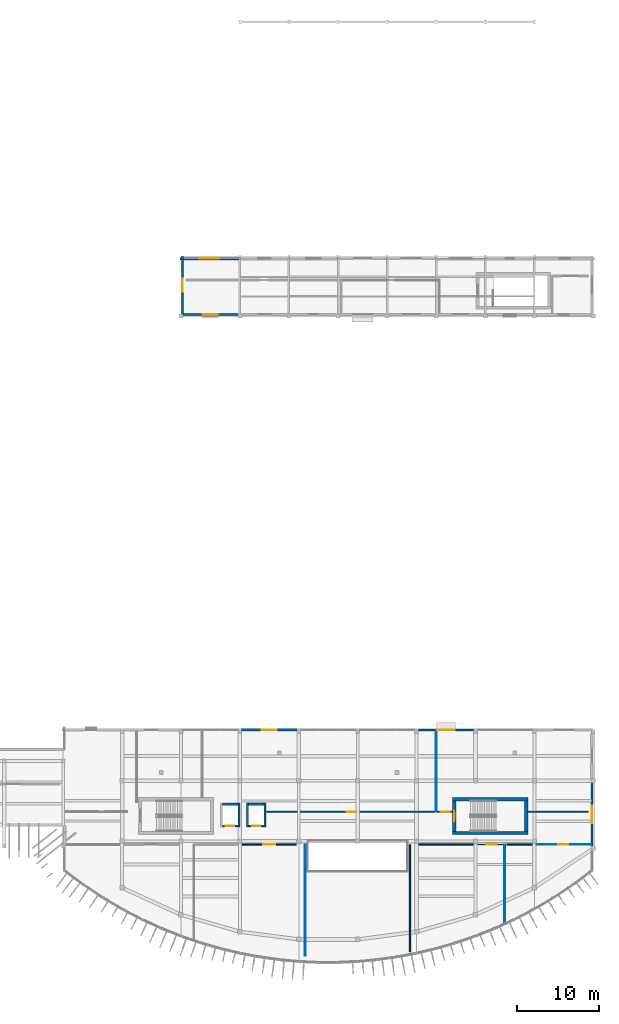
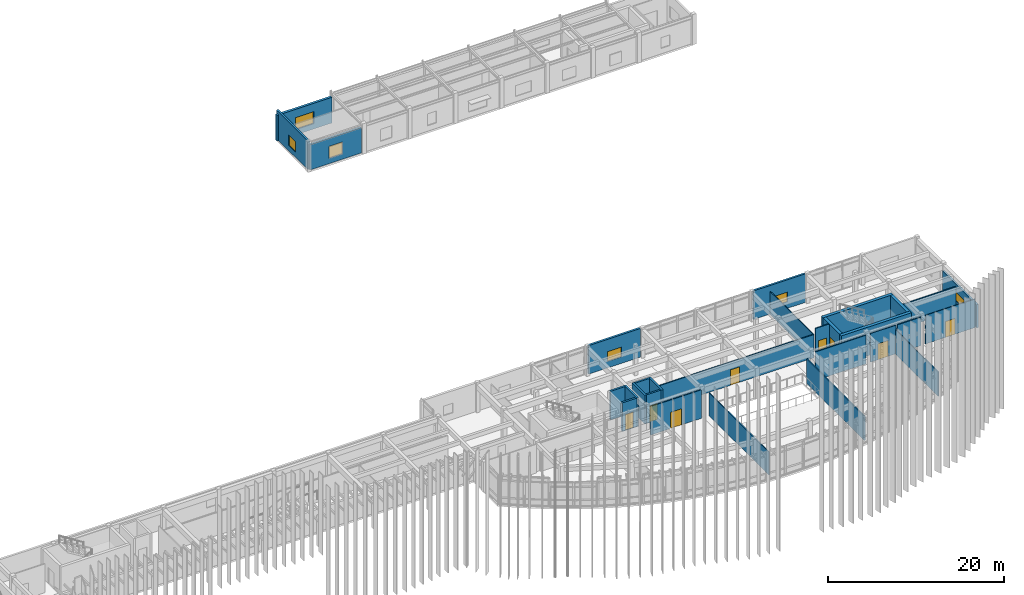
# One storey, part 32 of 47: 29 walls, 8 doors, 6 windows, 14 openings.
"""IFC4 building model written with IfcOpenShell, lengths in metres."""

from ifc_helpers import new_model, si_unit, direction, frame, frame_2d, origin, place, context, subcontext, project, spatial, rectangle, extrude, material, layer, layer_set, type_object, element, fill, save


model = new_model("IFC4")

# Units and contexts
model_context = context("Model", 3, precision=1e-05, world=origin(), true_north=direction((0.0, 1.0)))
body_context = subcontext(model_context, "Body", "Model", "MODEL_VIEW")
ifc_project = project(units=[si_unit("LENGTHUNIT", "METRE"), si_unit("AREAUNIT", "SQUARE_METRE"), si_unit("VOLUMEUNIT", "CUBIC_METRE"), si_unit("PLANEANGLEUNIT", "RADIAN"), si_unit("MASSUNIT", "GRAM", prefix="KILO")], contexts=[model_context])

# Site, building, storey
site_placement = place(None, origin())
site = spatial("IfcSite", under=ifc_project, at=site_placement, CompositionType="ELEMENT")
building_placement = place(site_placement, origin())
building = spatial("IfcBuilding", under=site, at=building_placement, Name="Brisavento Harbour Community Centre", CompositionType="ELEMENT")
storey_placement = place(building_placement, frame((0.0, 0.0, 8.699951171875)))
storey = spatial("IfcBuildingStorey", under=building, at=storey_placement, Name="L02", CompositionType="ELEMENT", Elevation=8.699951171875)

# Walls
ifc_material_1 = material(Name="Concrete C40/50", Category="concrete")
ifc_layer_1 = layer(ifc_material_1, 0.39990234375, Name="Concrete C40/50")
ifc_layer_set_1 = layer_set([ifc_layer_1], Name="Concrete C40/50")
wall_type_1 = type_object("IfcWallType", Name="WL-CORE-400", PredefinedType="SHEAR", material=ifc_layer_set_1)
for number, where, z_axis, x_axis, name in (
    (1, (155.60009765625, 16.0, 0.0), (0.0, 0.0, 1.0), (1.0, 0.0, 0.0), "L02 core C3B shear wall L"),
    (2, (164.800048828125, 20.14990234375, 0.0), (0.0, 0.0, 1.0), (-1.0, 0.0, 0.0), "L02 core C3B shear wall R"),
):
    element("IfcWall", number, at=place(storey_placement, frame(where, z_axis=z_axis, x_axis=x_axis)), inside=storey, type_object=wall_type_1, Name=name, PredefinedType="SHEAR", context=body_context, shape_type="SweptSolid", body=[
        extrude(rectangle(XDim=9.199951171875, YDim=0.39990234375, at=frame_2d((4.60009765625, 0.0))), origin(), (0.0, 0.0, 1.0), 3.9599609375),
    ])
wall_1_placement = place(storey_placement, frame((164.60009765625, 16.199951171875, 0.0), z_axis=(0.0, 0.0, 1.0), x_axis=(0.0, 1.0, 0.0)))
element("IfcWall", 3, at=wall_1_placement, inside=storey, type_object=wall_type_1, Name="L02 core C3B shear wall F", PredefinedType="SHEAR", context=body_context, shape_type="SweptSolid", body=[
    extrude(rectangle(XDim=3.75, YDim=0.39990234375, at=frame_2d((1.875, 0.0))), origin(), (0.0, 0.0, 1.0), 3.9599609375),
])

# Wall, opening, door
wall_2_placement = place(storey_placement, frame((155.800048828125, 19.949951171875, 0.0), z_axis=(0.0, 0.0, 1.0), x_axis=(0.0, -1.0, 0.0)))
wall_2 = element("IfcWall", 4, at=wall_2_placement, inside=storey, type_object=wall_type_1, Name="L02 core C3B shear wall N", PredefinedType="SHEAR", context=body_context, shape_type="SweptSolid", body=[
    extrude(rectangle(XDim=3.75, YDim=0.39990234375, at=frame_2d((1.875, 0.0))), origin(), (0.0, 0.0, 1.0), 3.9599609375),
])
opening_1_placement = place(wall_2_placement, frame((1.199951171875, 0.0, 0.0)))
opening_1 = element("IfcOpeningElement", 5, at=opening_1_placement, cuts=wall_2, Name="Opening SD-02", PredefinedType="OPENING", context=body_context, shape_type="SweptSolid", body=[
    extrude(rectangle(XDim=1.35009765625, YDim=2.199951171875, at=frame_2d((0.675048828125, 1.10009765625))), frame((0.0, 0.2099609375, 0.0), z_axis=(0.0, -1.0, 0.0), x_axis=(1.0, 0.0, 0.0)), (0.0, 0.0, 1.0), 0.419921875),
])
ifc_material_2 = material(Name="Fire-rated steel door assembly", Category="steel")
door_type_1 = type_object("IfcDoorType", Name="DR-STAIR-135x220", OperationType="NOTDEFINED", PredefinedType="DOOR", material=ifc_material_2)
door_1_placement = place(opening_1_placement, origin())
door_1 = element("IfcDoor", 6, at=door_1_placement, inside=storey, type_object=door_type_1, Name="L02 exit stair ST-05 fire door", OperationType="SINGLE_SWING_LEFT", OverallHeight=2.199951171875, OverallWidth=1.35009765625, PredefinedType="DOOR", context=body_context, shape_type="SweptSolid", body=[
    extrude(rectangle(XDim=1.35009765625, YDim=2.199951171875, at=frame_2d((0.675048828125, 1.10009765625))), frame((0.0, 0.02490234375, 0.0), z_axis=(0.0, -1.0, 0.0), x_axis=(1.0, 0.0, 0.0)), (0.0, 0.0, 1.0), 0.050048828125),
])
fill(opening_1, door_1)

# Wall, opening, window
ifc_material_3 = material(Name="Terracotta masonry unit", Category="masonry")
ifc_layer_2 = layer(ifc_material_3, 0.239990234375, Name="Terracotta masonry unit")
ifc_layer_set_2 = layer_set([ifc_layer_2], Name="Terracotta masonry unit")
wall_type_2 = type_object("IfcWallType", Name="WL-EXT-240", PredefinedType="SOLIDWALL", material=ifc_layer_set_2)
wall_3_placement = place(storey_placement, frame((172.6201171875, 22.1650390625, 0.0), z_axis=(0.0, 0.0, 1.0), x_axis=(0.0, -1.0, 0.0)))
wall_3 = element("IfcWall", 7, at=wall_3_placement, inside=storey, type_object=wall_type_2, Name="L02 V3 exterior wall 0238", PredefinedType="SOLIDWALL", context=body_context, shape_type="SweptSolid", body=[
    extrude(rectangle(XDim=7.777099609375, YDim=0.239990234375, at=frame_2d((3.888671875, 0.0))), origin(), (0.0, 0.0, 1.0), 3.2099609375),
])
opening_2_placement = place(wall_3_placement, frame((2.83837890625, 0.0, 0.89990234375)))
opening_2 = element("IfcOpeningElement", 8, at=opening_2_placement, cuts=wall_3, Name="Opening W-08", PredefinedType="OPENING", context=body_context, shape_type="SweptSolid", body=[
    extrude(rectangle(XDim=2.10009765625, YDim=1.199951171875, at=frame_2d((1.050048828125, 0.60009765625))), frame((0.0, 0.1298828125, 0.0), z_axis=(0.0, -1.0, 0.0), x_axis=(1.0, 0.0, 0.0)), (0.0, 0.0, 1.0), 0.260009765625),
])
ifc_material_4 = material(Name="Solar-control laminated low-E glass", Category="glass")
window_type_1 = type_object("IfcWindowType", Name="WIN-CAS-08", PartitioningType="SINGLE_PANEL", PredefinedType="WINDOW", material=ifc_material_4)
window_1_placement = place(opening_2_placement, origin())
window_1 = element("IfcWindow", 9, at=window_1_placement, inside=storey, type_object=window_type_1, Name="L02 V3 impact casement window 0116", OverallHeight=1.199951171875, OverallWidth=2.10009765625, PartitioningType="SINGLE_PANEL", PredefinedType="WINDOW", context=body_context, shape_type="SweptSolid", body=[
    extrude(rectangle(XDim=2.10009765625, YDim=1.199951171875, at=frame_2d((1.050048828125, 0.60009765625))), frame((0.0, 0.030029296875, 0.0), z_axis=(0.0, -1.0, 0.0), x_axis=(1.0, 0.0, 0.0)), (0.0, 0.0, 1.0), 0.06005859375),
])
fill(opening_2, window_1)

ifc_layer_3 = layer(ifc_material_3, 0.260009765625, Name="Terracotta masonry unit")
ifc_layer_set_3 = layer_set([ifc_layer_3], Name="Terracotta masonry unit")
wall_type_3 = type_object("IfcWallType", Name="WL-EXT-260", PredefinedType="SOLIDWALL", material=ifc_layer_set_3)
wall_4_placement = place(storey_placement, frame((151.409912109375, 28.6201171875, 0.0), z_axis=(0.0, 0.0, 1.0), x_axis=(1.0, 0.0, 0.0)))
wall_4 = element("IfcWall", 10, at=wall_4_placement, inside=storey, type_object=wall_type_3, Name="L02 V3 exterior wall 0242", PredefinedType="SOLIDWALL", context=body_context, shape_type="SweptSolid", body=[
    extrude(rectangle(XDim=6.780029296875, YDim=0.260009765625, at=frame_2d((3.39013671875, 0.0))), origin(), (0.0, 0.0, 1.0), 3.9599609375),
])
opening_3_placement = place(wall_4_placement, frame((2.340087890625, 0.0, 0.89990234375)))
opening_3 = element("IfcOpeningElement", 11, at=opening_3_placement, cuts=wall_4, Name="Opening W-12", PredefinedType="OPENING", context=body_context, shape_type="SweptSolid", body=[
    extrude(rectangle(XDim=2.10009765625, YDim=1.35009765625, at=frame_2d((1.050048828125, 0.675048828125))), frame((0.0, 0.14013671875, 0.0), z_axis=(0.0, -1.0, 0.0), x_axis=(1.0, 0.0, 0.0)), (0.0, 0.0, 1.0), 0.280029296875),
])
window_type_2 = type_object("IfcWindowType", Name="WIN-CAS-12", PartitioningType="SINGLE_PANEL", PredefinedType="WINDOW", material=ifc_material_4)
window_2_placement = place(opening_3_placement, origin())
window_2 = element("IfcWindow", 12, at=window_2_placement, inside=storey, type_object=window_type_2, Name="L02 V3 impact casement window 0120", OverallHeight=1.35009765625, OverallWidth=2.10009765625, PartitioningType="SINGLE_PANEL", PredefinedType="WINDOW", context=body_context, shape_type="SweptSolid", body=[
    extrude(rectangle(XDim=2.10009765625, YDim=1.35009765625, at=frame_2d((1.050048828125, 0.675048828125))), frame((0.0, 0.030029296875, 0.0), z_axis=(0.0, -1.0, 0.0), x_axis=(1.0, 0.0, 0.0)), (0.0, 0.0, 1.0), 0.06005859375),
])
fill(opening_3, window_2)

wall_5_placement = place(storey_placement, frame((129.364990234375, 79.3798828125, 0.0), z_axis=(0.0, 0.0, 1.0), x_axis=(-1.0, 0.0, 0.0)))
wall_5 = element("IfcWall", 13, at=wall_5_placement, inside=storey, type_object=wall_type_3, Name="L02 V4 exterior wall 0252", PredefinedType="SOLIDWALL", context=body_context, shape_type="SweptSolid", body=[
    extrude(rectangle(XDim=6.72998046875, YDim=0.260009765625, at=frame_2d((3.364990234375, 0.0))), origin(), (0.0, 0.0, 1.0), 3.510009765625),
])
opening_4_placement = place(wall_5_placement, frame((2.465087890625, 0.0, 0.75)))
opening_4 = element("IfcOpeningElement", 14, at=opening_4_placement, cuts=wall_5, Name="Opening W-21", PredefinedType="OPENING", context=body_context, shape_type="SweptSolid", body=[
    extrude(rectangle(XDim=1.800048828125, YDim=1.64990234375, at=frame_2d((0.89990234375, 0.824951171875))), frame((0.0, 0.14013671875, 0.0), z_axis=(0.0, -1.0, 0.0), x_axis=(1.0, 0.0, 0.0)), (0.0, 0.0, 1.0), 0.280029296875),
])
window_type_3 = type_object("IfcWindowType", Name="WIN-CAS-21", PartitioningType="SINGLE_PANEL", PredefinedType="WINDOW", material=ifc_material_4)
window_3_placement = place(opening_4_placement, origin())
window_3 = element("IfcWindow", 15, at=window_3_placement, inside=storey, type_object=window_type_3, Name="L02 V4 impact casement window 0129", OverallHeight=1.64990234375, OverallWidth=1.800048828125, PartitioningType="SINGLE_PANEL", PredefinedType="WINDOW", context=body_context, shape_type="SweptSolid", body=[
    extrude(rectangle(XDim=1.800048828125, YDim=1.64990234375, at=frame_2d((0.89990234375, 0.824951171875))), frame((0.0, 0.030029296875, 0.0), z_axis=(0.0, -1.0, 0.0), x_axis=(1.0, 0.0, 0.0)), (0.0, 0.0, 1.0), 0.06005859375),
])
fill(opening_4, window_3)

wall_6_placement = place(storey_placement, frame((122.580078125, 79.43505859375, 0.0), z_axis=(0.0, 0.0, 1.0), x_axis=(0.0, 1.0, 0.0)))
wall_6 = element("IfcWall", 16, at=wall_6_placement, inside=storey, type_object=wall_type_3, Name="L02 V4 exterior wall 0262", PredefinedType="SOLIDWALL", context=body_context, shape_type="SweptSolid", body=[
    extrude(rectangle(XDim=7.114990234375, YDim=0.260009765625, at=frame_2d((3.5576171875, 0.0))), origin(), (0.0, 0.0, 1.0), 3.9599609375),
])
opening_5_placement = place(wall_6_placement, frame((2.757568359375, 0.0, 0.75)))
opening_5 = element("IfcOpeningElement", 17, at=opening_5_placement, cuts=wall_6, Name="Opening W-31", PredefinedType="OPENING", context=body_context, shape_type="SweptSolid", body=[
    extrude(rectangle(XDim=1.60009765625, YDim=1.449951171875, at=frame_2d((0.800048828125, 0.72509765625))), frame((0.0, 0.14013671875, 0.0), z_axis=(0.0, -1.0, 0.0), x_axis=(1.0, 0.0, 0.0)), (0.0, 0.0, 1.0), 0.280029296875),
])
window_type_4 = type_object("IfcWindowType", Name="WIN-CAS-31", PartitioningType="SINGLE_PANEL", PredefinedType="WINDOW", material=ifc_material_4)
window_4_placement = place(opening_5_placement, origin())
window_4 = element("IfcWindow", 18, at=window_4_placement, inside=storey, type_object=window_type_4, Name="L02 V4 impact casement window 0139", OverallHeight=1.449951171875, OverallWidth=1.60009765625, PartitioningType="SINGLE_PANEL", PredefinedType="WINDOW", context=body_context, shape_type="SweptSolid", body=[
    extrude(rectangle(XDim=1.60009765625, YDim=1.449951171875, at=frame_2d((0.800048828125, 0.72509765625))), frame((0.0, 0.030029296875, 0.0), z_axis=(0.0, -1.0, 0.0), x_axis=(1.0, 0.0, 0.0)), (0.0, 0.0, 1.0), 0.06005859375),
])
fill(opening_5, window_4)

ifc_material_5 = material(Name="Precast concrete C40/50", Category="concrete")
ifc_layer_4 = layer(ifc_material_5, 0.280029296875, Name="Precast concrete C40/50")
ifc_layer_set_4 = layer_set([ifc_layer_4], Name="Precast concrete C40/50")
wall_type_4 = type_object("IfcWallType", Name="WL-EXT-280", PredefinedType="SOLIDWALL", material=ifc_layer_set_4)
wall_7_placement = place(storey_placement, frame((129.81005859375, 28.6201171875, 0.0), z_axis=(0.0, 0.0, 1.0), x_axis=(1.0, 0.0, 0.0)))
wall_7 = element("IfcWall", 19, at=wall_7_placement, inside=storey, type_object=wall_type_4, Name="L02 V3 exterior wall 0241", PredefinedType="SOLIDWALL", context=body_context, shape_type="SweptSolid", body=[
    extrude(rectangle(XDim=6.780029296875, YDim=0.280029296875, at=frame_2d((3.39013671875, 0.0))), origin(), (0.0, 0.0, 1.0), 3.9599609375),
])
opening_6_placement = place(wall_7_placement, frame((2.489990234375, 0.0, 0.89990234375)))
opening_6 = element("IfcOpeningElement", 20, at=opening_6_placement, cuts=wall_7, Name="Opening W-11", PredefinedType="OPENING", context=body_context, shape_type="SweptSolid", body=[
    extrude(rectangle(XDim=1.800048828125, YDim=1.35009765625, at=frame_2d((0.89990234375, 0.675048828125))), frame((0.0, 0.14990234375, 0.0), z_axis=(0.0, -1.0, 0.0), x_axis=(1.0, 0.0, 0.0)), (0.0, 0.0, 1.0), 0.300048828125),
])
window_type_5 = type_object("IfcWindowType", Name="WIN-CAS-11", PartitioningType="SINGLE_PANEL", PredefinedType="WINDOW", material=ifc_material_4)
window_5_placement = place(opening_6_placement, origin())
window_5 = element("IfcWindow", 21, at=window_5_placement, inside=storey, type_object=window_type_5, Name="L02 V3 impact casement window 0119", OverallHeight=1.35009765625, OverallWidth=1.800048828125, PartitioningType="SINGLE_PANEL", PredefinedType="WINDOW", context=body_context, shape_type="SweptSolid", body=[
    extrude(rectangle(XDim=1.800048828125, YDim=1.35009765625, at=frame_2d((0.89990234375, 0.675048828125))), frame((0.0, 0.030029296875, 0.0), z_axis=(0.0, -1.0, 0.0), x_axis=(1.0, 0.0, 0.0)), (0.0, 0.0, 1.0), 0.06005859375),
])
fill(opening_6, window_5)

ifc_material_6 = material(Name="Concrete C35/45", Category="concrete")
ifc_layer_5 = layer(ifc_material_6, 0.320068359375, Name="Concrete C35/45")
ifc_layer_set_5 = layer_set([ifc_layer_5], Name="Concrete C35/45")
wall_type_5 = type_object("IfcWallType", Name="WL-EXT-320", PredefinedType="SOLIDWALL", material=ifc_layer_set_5)
wall_8_placement = place(storey_placement, frame((122.25, 86.219970703125, 0.0), z_axis=(0.0, 0.0, 1.0), x_axis=(1.0, 0.0, 0.0)))
wall_8 = element("IfcWall", 22, at=wall_8_placement, inside=storey, type_object=wall_type_5, Name="L02 V4 exterior wall 0254", PredefinedType="SOLIDWALL", context=body_context, shape_type="SweptSolid", body=[
    extrude(rectangle(XDim=7.215087890625, YDim=0.320068359375, at=frame_2d((3.607421875, 0.0))), origin(), (0.0, 0.0, 1.0), 3.56005859375),
])
opening_7_placement = place(wall_8_placement, frame((2.407470703125, 0.0, 0.75)))
opening_7 = element("IfcOpeningElement", 23, at=opening_7_placement, cuts=wall_8, Name="Opening W-23", PredefinedType="OPENING", context=body_context, shape_type="SweptSolid", body=[
    extrude(rectangle(XDim=2.39990234375, YDim=1.64990234375, at=frame_2d((1.199951171875, 0.824951171875))), frame((0.0, 0.169921875, 0.0), z_axis=(0.0, -1.0, 0.0), x_axis=(1.0, 0.0, 0.0)), (0.0, 0.0, 1.0), 0.340087890625),
])
window_type_6 = type_object("IfcWindowType", Name="WIN-CAS-23", PartitioningType="SINGLE_PANEL", PredefinedType="WINDOW", material=ifc_material_4)
window_6_placement = place(opening_7_placement, origin())
window_6 = element("IfcWindow", 24, at=window_6_placement, inside=storey, type_object=window_type_6, Name="L02 V4 impact casement window 0131", OverallHeight=1.64990234375, OverallWidth=2.39990234375, PartitioningType="SINGLE_PANEL", PredefinedType="WINDOW", context=body_context, shape_type="SweptSolid", body=[
    extrude(rectangle(XDim=2.39990234375, YDim=1.64990234375, at=frame_2d((1.199951171875, 0.824951171875))), frame((0.0, 0.030029296875, 0.0), z_axis=(0.0, -1.0, 0.0), x_axis=(1.0, 0.0, 0.0)), (0.0, 0.0, 1.0), 0.06005859375),
])
fill(opening_7, window_6)

# Wall, opening, door
ifc_material_7 = material(Name="Lightweight stud partition", Category="other")
ifc_layer_6 = layer(ifc_material_7, 0.10009765625, Name="Lightweight stud partition")
ifc_layer_set_6 = layer_set([ifc_layer_6], Name="Lightweight stud partition")
wall_type_6 = type_object("IfcWallType", Name="WL-PRT-100", PredefinedType="PARTITIONING", material=ifc_layer_set_6)
wall_9_placement = place(storey_placement, frame((162.0, 14.60009765625, 0.0), z_axis=(0.0, 0.0, 1.0), x_axis=(-1.0, 0.0, 0.0)))
wall_9 = element("IfcWall", 25, at=wall_9_placement, inside=storey, type_object=wall_type_6, Name="L02 Music Rehearsal Studio partition 0219", PredefinedType="PARTITIONING", context=body_context, shape_type="SweptSolid", body=[
    extrude(rectangle(XDim=3.31005859375, YDim=0.10009765625, at=frame_2d((1.655029296875, 0.0))), origin(), (0.0, 0.0, 1.0), 3.9599609375),
])
opening_8_placement = place(wall_9_placement, frame((1.0048828125, 0.0, 0.0)))
opening_8 = element("IfcOpeningElement", 26, at=opening_8_placement, cuts=wall_9, Name="Opening ID-05", PredefinedType="OPENING", context=body_context, shape_type="SweptSolid", body=[
    extrude(rectangle(XDim=1.300048828125, YDim=2.199951171875, at=frame_2d((0.64990234375, 1.10009765625))), frame((0.0, 0.06005859375, 0.0), z_axis=(0.0, -1.0, 0.0), x_axis=(1.0, 0.0, 0.0)), (0.0, 0.0, 1.0), 0.1201171875),
])
ifc_material_8 = material(Name="Solid-core tropical timber door", Category="wood")
door_type_2 = type_object("IfcDoorType", Name="DR-INT-130x220", OperationType="NOTDEFINED", PredefinedType="DOOR", material=ifc_material_8)
door_2_placement = place(opening_8_placement, origin())
door_2 = element("IfcDoor", 27, at=door_2_placement, inside=storey, type_object=door_type_2, Name="L02 Music Rehearsal Studio door 0082", OperationType="SINGLE_SWING_LEFT", OverallHeight=2.199951171875, OverallWidth=1.300048828125, PredefinedType="DOOR", context=body_context, shape_type="SweptSolid", body=[
    extrude(rectangle(XDim=1.300048828125, YDim=2.199951171875, at=frame_2d((0.64990234375, 1.10009765625))), frame((0.0, 0.02490234375, 0.0), z_axis=(0.0, -1.0, 0.0), x_axis=(1.0, 0.0, 0.0)), (0.0, 0.0, 1.0), 0.050048828125),
])
fill(opening_8, door_2)

wall_10_placement = place(storey_placement, frame((172.39990234375, 14.60009765625, 0.0), z_axis=(0.0, 0.0, 1.0), x_axis=(-1.0, 0.0, 0.0)))
wall_10 = element("IfcWall", 28, at=wall_10_placement, inside=storey, type_object=wall_type_6, Name="L02 Dance Rehearsal Studio partition 0223", PredefinedType="PARTITIONING", context=body_context, shape_type="SweptSolid", body=[
    extrude(rectangle(XDim=6.510009765625, YDim=0.10009765625, at=frame_2d((3.2548828125, 0.0))), origin(), (0.0, 0.0, 1.0), 3.9599609375),
])
opening_9_placement = place(wall_10_placement, frame((2.6298828125, 0.0, 0.0)))
opening_9 = element("IfcOpeningElement", 29, at=opening_9_placement, cuts=wall_10, Name="Opening ID-06", PredefinedType="OPENING", context=body_context, shape_type="SweptSolid", body=[
    extrude(rectangle(XDim=1.25, YDim=2.199951171875, at=frame_2d((0.625, 1.10009765625))), frame((0.0, 0.06005859375, 0.0), z_axis=(0.0, -1.0, 0.0), x_axis=(1.0, 0.0, 0.0)), (0.0, 0.0, 1.0), 0.1201171875),
])
door_type_3 = type_object("IfcDoorType", Name="DR-INT-125x220", OperationType="NOTDEFINED", PredefinedType="DOOR", material=ifc_material_8)
door_3_placement = place(opening_9_placement, origin())
door_3 = element("IfcDoor", 30, at=door_3_placement, inside=storey, type_object=door_type_3, Name="L02 Dance Rehearsal Studio door 0083", OperationType="SINGLE_SWING_RIGHT", OverallHeight=2.199951171875, OverallWidth=1.25, PredefinedType="DOOR", context=body_context, shape_type="SweptSolid", body=[
    extrude(rectangle(XDim=1.25, YDim=2.199951171875, at=frame_2d((0.625, 1.10009765625))), frame((0.0, 0.02490234375, 0.0), z_axis=(0.0, -1.0, 0.0), x_axis=(1.0, 0.0, 0.0)), (0.0, 0.0, 1.0), 0.050048828125),
])
fill(opening_9, door_3)

# Walls
wall_11_placement = place(storey_placement, frame((153.60009765625, 18.60009765625, 0.0), z_axis=(0.0, 0.0, 1.0), x_axis=(0.0, 1.0, 0.0)))
element("IfcWall", 31, at=wall_11_placement, inside=storey, type_object=wall_type_6, Name="L02 Adult Classroom 203 partition 0227", PredefinedType="PARTITIONING", context=body_context, shape_type="SweptSolid", body=[
    extrude(rectangle(XDim=9.7998046875, YDim=0.10009765625, at=frame_2d((4.89990234375, 0.0))), origin(), (0.0, 0.0, 1.0), 3.16015625),
])
ifc_material_9 = material(Name="Gypsum metal-stud partition", Category="other")
ifc_layer_7 = layer(ifc_material_9, 0.1201171875, Name="Gypsum metal-stud partition")
ifc_layer_set_7 = layer_set([ifc_layer_7], Name="Gypsum metal-stud partition")
wall_type_7 = type_object("IfcWallType", Name="WL-PRT-120", PredefinedType="PARTITIONING", material=ifc_layer_set_7)
wall_12_placement = place(storey_placement, frame((137.60009765625, 1.0, 0.0), z_axis=(0.0, 0.0, 1.0), x_axis=(0.0, 1.0, 0.0)))
element("IfcWall", 32, at=wall_12_placement, inside=storey, type_object=wall_type_7, Name="L02 Youth Studio 202 partition 0218", PredefinedType="PARTITIONING", context=body_context, shape_type="SweptSolid", body=[
    extrude(rectangle(XDim=13.60009765625, YDim=0.1201171875, at=frame_2d((6.800048828125, 0.0))), origin(), (0.0, 0.0, 1.0), 3.16015625),
])
wall_13_placement = place(storey_placement, frame((162.0, 4.87060546875, 0.0), z_axis=(0.0, 0.0, 1.0), x_axis=(0.0, 1.0, 0.0)))
element("IfcWall", 33, at=wall_13_placement, inside=storey, type_object=wall_type_7, Name="L02 Music Rehearsal Studio partition 0222", PredefinedType="PARTITIONING", context=body_context, shape_type="SweptSolid", body=[
    extrude(rectangle(XDim=9.7294921875, YDim=0.1201171875, at=frame_2d((4.86474609375, 0.0))), origin(), (0.0, 0.0, 1.0), 3.360107421875),
])
ifc_layer_8 = layer(ifc_material_9, 0.139892578125, Name="Gypsum metal-stud partition")
ifc_layer_set_8 = layer_set([ifc_layer_8], Name="Gypsum metal-stud partition")
wall_type_8 = type_object("IfcWallType", Name="WL-PRT-140", PredefinedType="PARTITIONING", material=ifc_layer_set_8)
wall_14_placement = place(storey_placement, frame((150.39990234375, 14.60009765625, 0.0), z_axis=(0.0, 0.0, 1.0), x_axis=(0.0, -1.0, 0.0)))
element("IfcWall", 34, at=wall_14_placement, inside=storey, type_object=wall_type_8, Name="L02 Music Rehearsal Studio partition 0221", PredefinedType="PARTITIONING", context=body_context, shape_type="SweptSolid", body=[
    extrude(rectangle(XDim=13.10009765625, YDim=0.139892578125, at=frame_2d((6.550048828125, 0.0))), origin(), (0.0, 0.0, 1.0), 3.360107421875),
])

# Wall, opening, door
wall_15_placement = place(storey_placement, frame((132.909912109375, 18.60009765625, 0.0), z_axis=(0.0, 0.0, 1.0), x_axis=(1.0, 0.0, 0.0)))
wall_15 = element("IfcWall", 35, at=wall_15_placement, inside=storey, type_object=wall_type_8, Name="L02 Adult Classroom 203 partition 0225", PredefinedType="PARTITIONING", context=body_context, shape_type="SweptSolid", body=[
    extrude(rectangle(XDim=20.690185546875, YDim=0.139892578125, at=frame_2d((10.34521484375, 0.0))), origin(), (0.0, 0.0, 1.0), 3.2099609375),
])
opening_10_placement = place(wall_15_placement, frame((9.77001953125, 0.0, 0.0)))
opening_10 = element("IfcOpeningElement", 36, at=opening_10_placement, cuts=wall_15, Name="Opening ID-07", PredefinedType="OPENING", context=body_context, shape_type="SweptSolid", body=[
    extrude(rectangle(XDim=1.14990234375, YDim=2.14990234375, at=frame_2d((0.574951171875, 1.074951171875))), frame((0.0, 0.080078125, 0.0), z_axis=(0.0, -1.0, 0.0), x_axis=(1.0, 0.0, 0.0)), (0.0, 0.0, 1.0), 0.159912109375),
])
door_type_4 = type_object("IfcDoorType", Name="DR-INT-115x215", OperationType="NOTDEFINED", PredefinedType="DOOR", material=ifc_material_8)
door_4_placement = place(opening_10_placement, origin())
door_4 = element("IfcDoor", 37, at=door_4_placement, inside=storey, type_object=door_type_4, Name="L02 Adult Classroom 203 door 0084", OperationType="SINGLE_SWING_LEFT", OverallHeight=2.14990234375, OverallWidth=1.14990234375, PredefinedType="DOOR", context=body_context, shape_type="SweptSolid", body=[
    extrude(rectangle(XDim=1.14990234375, YDim=2.14990234375, at=frame_2d((0.574951171875, 1.074951171875))), frame((0.0, 0.02490234375, 0.0), z_axis=(0.0, -1.0, 0.0), x_axis=(1.0, 0.0, 0.0)), (0.0, 0.0, 1.0), 0.050048828125),
])
fill(opening_10, door_4)

# Wall
wall_16_placement = place(storey_placement, frame((164.81005859375, 18.60009765625, 0.0), z_axis=(0.0, 0.0, 1.0), x_axis=(1.0, 0.0, 0.0)))
element("IfcWall", 38, at=wall_16_placement, inside=storey, type_object=wall_type_8, Name="L02 Youth Robotics and Maker Workshop partition 0229", PredefinedType="PARTITIONING", context=body_context, shape_type="SweptSolid", body=[
    extrude(rectangle(XDim=7.35986328125, YDim=0.139892578125, at=frame_2d((3.679931640625, 0.0))), origin(), (0.0, 0.0, 1.0), 3.31005859375),
])

# Wall, opening, door
ifc_material_10 = material(Name="Moisture-resistant stud partition", Category="other")
ifc_layer_9 = layer(ifc_material_10, 0.14990234375, Name="Moisture-resistant stud partition")
ifc_layer_set_9 = layer_set([ifc_layer_9], Name="Moisture-resistant stud partition")
wall_type_9 = type_object("IfcWallType", Name="WL-PRT-150", PredefinedType="PARTITIONING", material=ifc_layer_set_9)
wall_17_placement = place(storey_placement, frame((136.510009765625, 14.60009765625, 0.0), z_axis=(0.0, 0.0, 1.0), x_axis=(-1.0, 0.0, 0.0)))
wall_17 = element("IfcWall", 39, at=wall_17_placement, inside=storey, type_object=wall_type_9, Name="L02 Youth Studio 202 partition 0216", PredefinedType="PARTITIONING", context=body_context, shape_type="SweptSolid", body=[
    extrude(rectangle(XDim=6.6201171875, YDim=0.14990234375, at=frame_2d((3.31005859375, 0.0))), origin(), (0.0, 0.0, 1.0), 3.9599609375),
])
opening_11_placement = place(wall_17_placement, frame((2.5849609375, 0.0, 0.0)))
opening_11 = element("IfcOpeningElement", 40, at=opening_11_placement, cuts=wall_17, Name="Opening ID-04", PredefinedType="OPENING", context=body_context, shape_type="SweptSolid", body=[
    extrude(rectangle(XDim=1.449951171875, YDim=2.25, at=frame_2d((0.72509765625, 1.125))), frame((0.0, 0.0849609375, 0.0), z_axis=(0.0, -1.0, 0.0), x_axis=(1.0, 0.0, 0.0)), (0.0, 0.0, 1.0), 0.169921875),
])
door_type_5 = type_object("IfcDoorType", Name="DR-INT-145x225", OperationType="NOTDEFINED", PredefinedType="DOOR", material=ifc_material_8)
door_5_placement = place(opening_11_placement, origin())
door_5 = element("IfcDoor", 41, at=door_5_placement, inside=storey, type_object=door_type_5, Name="L02 Youth Studio 202 door 0081", OperationType="SINGLE_SWING_RIGHT", OverallHeight=2.25, OverallWidth=1.449951171875, PredefinedType="DOOR", context=body_context, shape_type="SweptSolid", body=[
    extrude(rectangle(XDim=1.449951171875, YDim=2.25, at=frame_2d((0.72509765625, 1.125))), frame((0.0, 0.02490234375, 0.0), z_axis=(0.0, -1.0, 0.0), x_axis=(1.0, 0.0, 0.0)), (0.0, 0.0, 1.0), 0.050048828125),
])
fill(opening_11, door_5)

# Walls
wall_18_placement = place(storey_placement, frame((158.110107421875, 14.60009765625, 0.0), z_axis=(0.0, 0.0, 1.0), x_axis=(-1.0, 0.0, 0.0)))
element("IfcWall", 42, at=wall_18_placement, inside=storey, type_object=wall_type_9, Name="L02 Music Rehearsal Studio partition 0220", PredefinedType="PARTITIONING", context=body_context, shape_type="SweptSolid", body=[
    extrude(rectangle(XDim=6.6201171875, YDim=0.14990234375, at=frame_2d((3.31005859375, 0.0))), origin(), (0.0, 0.0, 1.0), 3.9599609375),
])
wall_19_placement = place(storey_placement, frame((165.31005859375, 14.60009765625, 0.0), z_axis=(0.0, 0.0, 1.0), x_axis=(-1.0, 0.0, 0.0)))
element("IfcWall", 43, at=wall_19_placement, inside=storey, type_object=wall_type_9, Name="L02 Dance Rehearsal Studio partition 0224", PredefinedType="PARTITIONING", context=body_context, shape_type="SweptSolid", body=[
    extrude(rectangle(XDim=3.110107421875, YDim=0.14990234375, at=frame_2d((1.55517578125, 0.0))), origin(), (0.0, 0.0, 1.0), 3.9599609375),
])

# Wall, opening, door
wall_20_placement = place(storey_placement, frame((153.800048828125, 18.60009765625, 0.0), z_axis=(0.0, 0.0, 1.0), x_axis=(1.0, 0.0, 0.0)))
wall_20 = element("IfcWall", 44, at=wall_20_placement, inside=storey, type_object=wall_type_9, Name="L02 Youth Robotics and Maker Workshop partition 0228", PredefinedType="PARTITIONING", context=body_context, shape_type="SweptSolid", body=[
    extrude(rectangle(XDim=1.7900390625, YDim=0.14990234375, at=frame_2d((0.89501953125, 0.0))), origin(), (0.0, 0.0, 1.0), 3.9599609375),
])
opening_12_placement = place(wall_20_placement, frame((0.344970703125, 0.0, 0.0)))
opening_12 = element("IfcOpeningElement", 45, at=opening_12_placement, cuts=wall_20, Name="Opening ID-08", PredefinedType="OPENING", context=body_context, shape_type="SweptSolid", body=[
    extrude(rectangle(XDim=1.10009765625, YDim=2.14990234375, at=frame_2d((0.550048828125, 1.074951171875))), frame((0.0, 0.0849609375, 0.0), z_axis=(0.0, -1.0, 0.0), x_axis=(1.0, 0.0, 0.0)), (0.0, 0.0, 1.0), 0.169921875),
])
door_type_6 = type_object("IfcDoorType", Name="DR-INT-110x215", OperationType="NOTDEFINED", PredefinedType="DOOR", material=ifc_material_8)
door_6_placement = place(opening_12_placement, origin())
door_6 = element("IfcDoor", 46, at=door_6_placement, inside=storey, type_object=door_type_6, Name="L02 Youth Robotics and Maker Workshop door 0085", OperationType="SINGLE_SWING_RIGHT", OverallHeight=2.14990234375, OverallWidth=1.10009765625, PredefinedType="DOOR", context=body_context, shape_type="SweptSolid", body=[
    extrude(rectangle(XDim=1.10009765625, YDim=2.14990234375, at=frame_2d((0.550048828125, 1.074951171875))), frame((0.0, 0.02490234375, 0.0), z_axis=(0.0, -1.0, 0.0), x_axis=(1.0, 0.0, 0.0)), (0.0, 0.0, 1.0), 0.050048828125),
])
fill(opening_12, door_6)

# Wall
ifc_layer_10 = layer(ifc_material_6, 0.25, Name="Concrete C35/45")
ifc_layer_set_10 = layer_set([ifc_layer_10], Name="Concrete C35/45")
wall_type_10 = type_object("IfcWallType", Name="WL-SHF-250", PredefinedType="SOLIDWALL", material=ifc_layer_set_10)
wall_21_placement = place(storey_placement, frame((129.47509765625, 19.64990234375, 0.0), z_axis=(0.0, 0.0, 1.0), x_axis=(0.0, -1.0, 0.0)))
element("IfcWall", 47, at=wall_21_placement, inside=storey, type_object=wall_type_10, Name="L02 lift LC-02 shaft wall E", PredefinedType="SOLIDWALL", context=body_context, shape_type="SweptSolid", body=[
    extrude(rectangle(XDim=2.89990234375, YDim=0.25, at=frame_2d((1.449951171875, 0.0))), origin(), (0.0, 0.0, 1.0), 3.9599609375),
])

# Wall, opening, door
wall_22_placement = place(storey_placement, frame((127.449951171875, 16.875, 0.0), z_axis=(0.0, 0.0, 1.0), x_axis=(1.0, 0.0, 0.0)))
wall_22 = element("IfcWall", 48, at=wall_22_placement, inside=storey, type_object=wall_type_10, Name="L02 lift LC-02 shaft wall S", PredefinedType="SOLIDWALL", context=body_context, shape_type="SweptSolid", body=[
    extrude(rectangle(XDim=1.900146484375, YDim=0.25, at=frame_2d((0.9501953125, 0.0))), origin(), (0.0, 0.0, 1.0), 3.9599609375),
])
opening_13_placement = place(wall_22_placement, frame((0.449951171875, 0.0, 0.0)))
opening_13 = element("IfcOpeningElement", 49, at=opening_13_placement, cuts=wall_22, Name="Opening LD-02", PredefinedType="OPENING", context=body_context, shape_type="SweptSolid", body=[
    extrude(rectangle(XDim=1.0, YDim=2.199951171875, at=frame_2d((0.5, 1.10009765625))), frame((0.0, 0.135009765625, 0.0), z_axis=(0.0, -1.0, 0.0), x_axis=(1.0, 0.0, 0.0)), (0.0, 0.0, 1.0), 0.27001953125),
])
ifc_material_11 = material(Name="Stainless steel 1.4401", Category="steel")
door_type_7 = type_object("IfcDoorType", Name="DR-LIFT-100x220", OperationType="DOUBLE_DOOR_SLIDING", PredefinedType="DOOR", material=ifc_material_11)
door_7_placement = place(opening_13_placement, origin())
door_7 = element("IfcDoor", 50, at=door_7_placement, inside=storey, type_object=door_type_7, Name="L02 lift LC-02 landing sliding door", OperationType="DOUBLE_DOOR_SLIDING", OverallHeight=2.199951171875, OverallWidth=1.0, PredefinedType="DOOR", context=body_context, shape_type="SweptSolid", body=[
    extrude(rectangle(XDim=1.0, YDim=2.199951171875, at=frame_2d((0.5, 1.10009765625))), frame((0.0, 0.02490234375, 0.0), z_axis=(0.0, -1.0, 0.0), x_axis=(1.0, 0.0, 0.0)), (0.0, 0.0, 1.0), 0.050048828125),
])
fill(opening_13, door_7)

# Walls
wall_23_placement = place(storey_placement, frame((129.35009765625, 19.52490234375, 0.0), z_axis=(0.0, 0.0, 1.0), x_axis=(-1.0, 0.0, 0.0)))
element("IfcWall", 51, at=wall_23_placement, inside=storey, type_object=wall_type_10, Name="L02 lift LC-02 shaft wall N", PredefinedType="SOLIDWALL", context=body_context, shape_type="SweptSolid", body=[
    extrude(rectangle(XDim=1.900146484375, YDim=0.25, at=frame_2d((0.9501953125, 0.0))), origin(), (0.0, 0.0, 1.0), 3.9599609375),
])
for number, where, z_axis, x_axis, name in (
    (52, (130.52490234375, 16.75, 0.0), (0.0, 0.0, 1.0), (0.0, 1.0, 0.0), "L02 lift LC-03 shaft wall W"),
    (53, (132.675048828125, 19.64990234375, 0.0), (0.0, 0.0, 1.0), (0.0, -1.0, 0.0), "L02 lift LC-03 shaft wall E"),
):
    element("IfcWall", number, at=place(storey_placement, frame(where, z_axis=z_axis, x_axis=x_axis)), inside=storey, type_object=wall_type_10, Name=name, PredefinedType="SOLIDWALL", context=body_context, shape_type="SweptSolid", body=[
        extrude(rectangle(XDim=2.89990234375, YDim=0.25, at=frame_2d((1.449951171875, 0.0))), origin(), (0.0, 0.0, 1.0), 3.9599609375),
    ])

# Wall, opening, door
wall_24_placement = place(storey_placement, frame((130.64990234375, 16.875, 0.0), z_axis=(0.0, 0.0, 1.0), x_axis=(1.0, 0.0, 0.0)))
wall_24 = element("IfcWall", 54, at=wall_24_placement, inside=storey, type_object=wall_type_10, Name="L02 lift LC-03 shaft wall S", PredefinedType="SOLIDWALL", context=body_context, shape_type="SweptSolid", body=[
    extrude(rectangle(XDim=1.900146484375, YDim=0.25, at=frame_2d((0.9501953125, 0.0))), origin(), (0.0, 0.0, 1.0), 3.9599609375),
])
opening_14_placement = place(wall_24_placement, frame((0.449951171875, 0.0, 0.0)))
opening_14 = element("IfcOpeningElement", 55, at=opening_14_placement, cuts=wall_24, Name="Opening LD-02", PredefinedType="OPENING", context=body_context, shape_type="SweptSolid", body=[
    extrude(rectangle(XDim=1.0, YDim=2.199951171875, at=frame_2d((0.5, 1.10009765625))), frame((0.0, 0.135009765625, 0.0), z_axis=(0.0, -1.0, 0.0), x_axis=(1.0, 0.0, 0.0)), (0.0, 0.0, 1.0), 0.27001953125),
])
door_8_placement = place(opening_14_placement, origin())
door_8 = element("IfcDoor", 56, at=door_8_placement, inside=storey, type_object=door_type_7, Name="L02 lift LC-03 landing sliding door", OperationType="DOUBLE_DOOR_SLIDING", OverallHeight=2.199951171875, OverallWidth=1.0, PredefinedType="DOOR", context=body_context, shape_type="SweptSolid", body=[
    extrude(rectangle(XDim=1.0, YDim=2.199951171875, at=frame_2d((0.5, 1.10009765625))), frame((0.0, 0.02490234375, 0.0), z_axis=(0.0, -1.0, 0.0), x_axis=(1.0, 0.0, 0.0)), (0.0, 0.0, 1.0), 0.050048828125),
])
fill(opening_14, door_8)

# Wall
wall_25_placement = place(storey_placement, frame((132.550048828125, 19.52490234375, 0.0), z_axis=(0.0, 0.0, 1.0), x_axis=(-1.0, 0.0, 0.0)))
element("IfcWall", 57, at=wall_25_placement, inside=storey, type_object=wall_type_10, Name="L02 lift LC-03 shaft wall N", PredefinedType="SOLIDWALL", context=body_context, shape_type="SweptSolid", body=[
    extrude(rectangle(XDim=1.900146484375, YDim=0.25, at=frame_2d((0.9501953125, 0.0))), origin(), (0.0, 0.0, 1.0), 3.9599609375),
])

save(model, "model.ifc")
